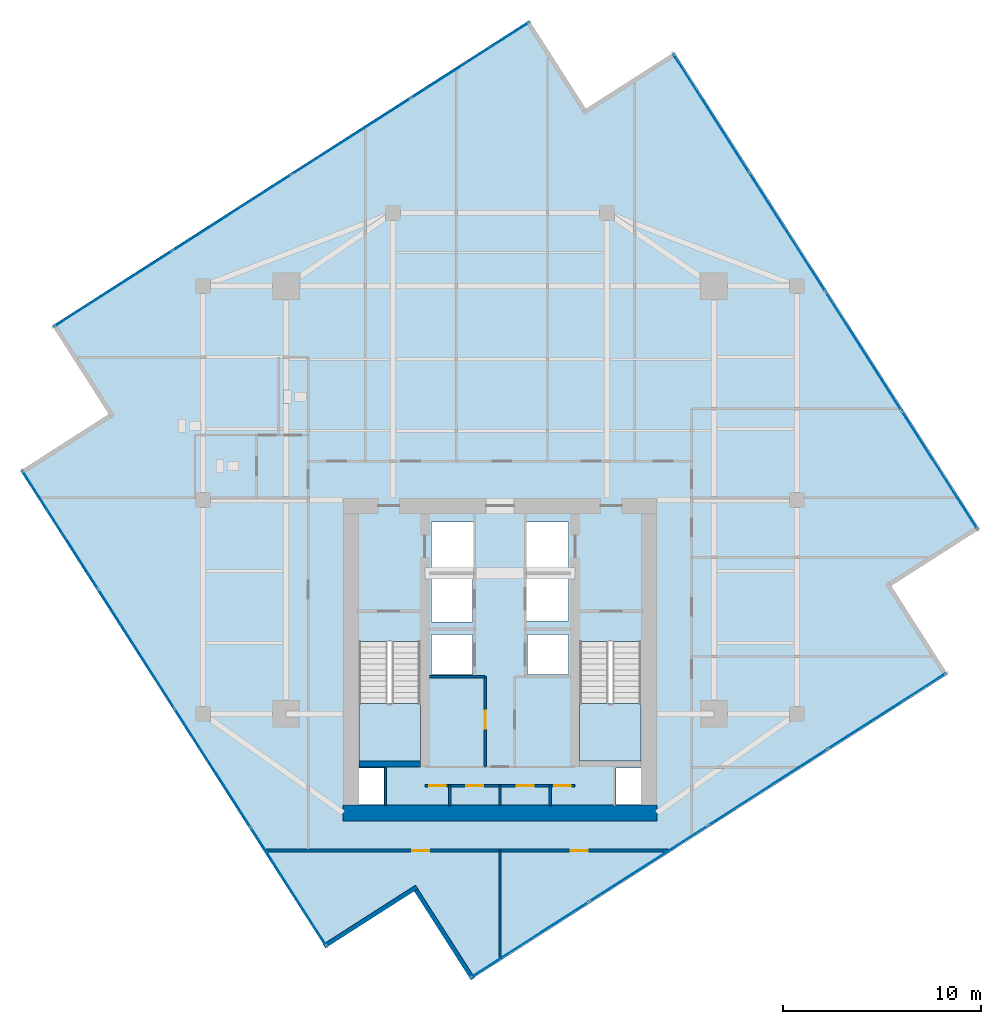
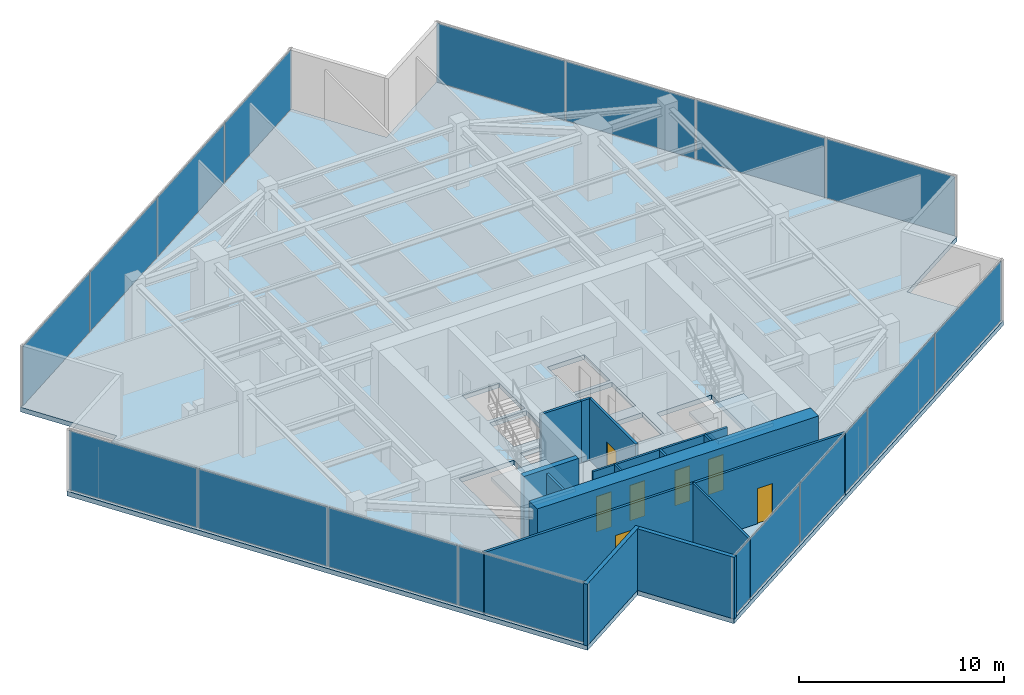
# One storey, part 16 of 20: 16 plates, 14 walls, 7 doors, 3 slabs, 7 openings, 6 elements without a shape of their own.
"""IFC4 building model written with IfcOpenShell, lengths in metres."""

from ifc_helpers import new_model, si_unit, direction, frame, frame_2d, origin, origin_2d, place, context, subcontext, project, spatial, polyline, rectangle, outline, extrude, source, transform, mapped, material, layer, layer_set, type_object, type_shapes, element, fill, aggregate, save


model = new_model("IFC4")

# Units and contexts
model_context = context("Model", 3, precision=1e-05, world=origin(), true_north=direction((0.0, 1.0)))
body_context = subcontext(model_context, "Body", "Model", "MODEL_VIEW")
ifc_project = project(units=[si_unit("LENGTHUNIT", "METRE"), si_unit("AREAUNIT", "SQUARE_METRE"), si_unit("VOLUMEUNIT", "CUBIC_METRE"), si_unit("PLANEANGLEUNIT", "RADIAN"), si_unit("MASSUNIT", "GRAM", prefix="KILO")], contexts=[model_context])

# Site, building, storey
site_placement = place(None, origin())
site = spatial("IfcSite", under=ifc_project, at=site_placement, CompositionType="ELEMENT")
building_placement = place(site_placement, origin())
building = spatial("IfcBuilding", under=site, at=building_placement, Name="Krantzveldt Concourse Tower", CompositionType="ELEMENT")
storey_placement = place(building_placement, frame((0.0, 0.0, 287.14990234375)))
storey = spatial("IfcBuildingStorey", under=building, at=storey_placement, Name="L70", CompositionType="ELEMENT", Elevation=287.14990234375)

# Stair, slab
ifc_material_1 = material(Name="Precast concrete C40/50", Category="concrete")
stair_type = type_object("IfcStairType", Name="STR-CORE-DOGLEG", PredefinedType="HALF_TURN_STAIR", material=ifc_material_1)
stair_1_placement = place(storey_placement, origin())
stair_1 = element("IfcStair", 1, at=stair_1_placement, inside=storey, type_object=stair_type, Name="L70 Protected Escape Stair ST-1", PredefinedType="HALF_TURN_STAIR")
ifc_layer_1 = layer(ifc_material_1, 0.199951171875, Name="Precast concrete C40/50", Category="concrete")
ifc_layer_set_1 = layer_set([ifc_layer_1], Name="Precast concrete C40/50 (SL-LANDING-200)")
slab_type_1 = type_object("IfcSlabType", Name="SL-LANDING-200", PredefinedType="LANDING", material=ifc_layer_set_1)
slab_1_placement = place(storey_placement, frame((0.0, 0.0, 1.775146484375)))
slab_1 = element("IfcSlab", 2, at=slab_1_placement, type_object=slab_type_1, Name="ST-1 landing 1", PredefinedType="LANDING", context=body_context, shape_type="SweptSolid", body=[
    extrude(outline(polyline([(28.8798828125, 16.4150390625), (28.8798828125, 13.52001953125), (31.97998046875, 13.52001953125), (31.97998046875, 16.4150390625), (28.8798828125, 16.4150390625)])), origin(), (0.0, 0.0, 1.0), 0.199951171875),
])
aggregate(stair_1, [slab_1])

stair_2_placement = place(storey_placement, origin())
stair_2 = element("IfcStair", 3, at=stair_2_placement, inside=storey, type_object=stair_type, Name="L70 Protected Escape Stair ST-2", PredefinedType="HALF_TURN_STAIR")
slab_2_placement = place(storey_placement, frame((0.0, 0.0, 1.775146484375)))
slab_2 = element("IfcSlab", 4, at=slab_2_placement, type_object=slab_type_1, Name="ST-2 landing 1", PredefinedType="LANDING", context=body_context, shape_type="SweptSolid", body=[
    extrude(outline(polyline([(40.02001953125, 16.4150390625), (40.02001953125, 13.52001953125), (43.1201171875, 13.52001953125), (43.1201171875, 16.4150390625), (40.02001953125, 16.4150390625)])), origin(), (0.0, 0.0, 1.0), 0.199951171875),
])
aggregate(stair_2, [slab_2])

# Slab
ifc_material_2 = material(Name="Concrete C40/50", Category="concrete")
ifc_layer_2 = layer(ifc_material_2, 0.280029296875, Name="Concrete C40/50", Category="concrete")
ifc_layer_set_2 = layer_set([ifc_layer_2], Name="Concrete C40/50 (SL-SL-TWR280)")
slab_type_2 = type_object("IfcSlabType", Name="SL-SL-TWR280", PredefinedType="FLOOR", material=ifc_layer_set_2)
slab_3_placement = place(storey_placement, frame((0.0, 0.0, -0.27978515625)))
element("IfcSlab", 5, at=slab_3_placement, inside=storey, type_object=slab_type_2, Name="SL-L70-MAIN", PredefinedType="FLOOR", context=body_context, shape_type="SweptSolid", body=[
    extrude(outline(polyline([(40.333984375, 46.453369140625), (37.4765625, 50.917236328125), (13.38916015625, 35.497802734375), (16.24658203125, 31.033935546875), (11.782958984375, 28.176513671875), (27.2021484375, 4.089111328125), (31.666015625, 6.946533203125), (34.5234375, 2.48291015625), (58.61083984375, 17.902099609375), (55.75341796875, 22.365966796875), (60.217041015625, 25.223388671875), (44.7978515625, 49.310791015625), (40.333984375, 46.453369140625)]), holes=[polyline([(28.8798828125, 19.547607421875), (28.8798828125, 13.52001953125), (31.97998046875, 13.52001953125), (31.97998046875, 19.547607421875), (28.8798828125, 19.547607421875)]), polyline([(40.02001953125, 19.547607421875), (40.02001953125, 13.52001953125), (43.1201171875, 13.52001953125), (43.1201171875, 19.547607421875), (40.02001953125, 19.547607421875)]), polyline([(32.550048828125, 23.10009765625), (34.64990234375, 23.10009765625), (34.64990234375, 25.60009765625), (32.550048828125, 25.60009765625), (32.550048828125, 23.10009765625)]), polyline([(37.35009765625, 23.10009765625), (39.449951171875, 23.10009765625), (39.449951171875, 25.60009765625), (37.35009765625, 25.60009765625), (37.35009765625, 23.10009765625)]), polyline([(37.35009765625, 20.60009765625), (39.449951171875, 20.60009765625), (39.449951171875, 22.89990234375), (37.35009765625, 22.89990234375), (37.35009765625, 20.60009765625)]), polyline([(32.550048828125, 20.550048828125), (34.6201171875, 20.550048828125), (34.6201171875, 22.89990234375), (32.550048828125, 22.89990234375), (32.550048828125, 20.550048828125)]), polyline([(32.550048828125, 17.8798828125), (34.6201171875, 17.8798828125), (34.6201171875, 19.919921875), (32.550048828125, 19.919921875), (32.550048828125, 17.8798828125)]), polyline([(37.3798828125, 17.8798828125), (39.449951171875, 17.8798828125), (39.449951171875, 19.919921875), (37.3798828125, 19.919921875), (37.3798828125, 17.8798828125)]), polyline([(28.8798828125, 11.320068359375), (30.139892578125, 11.320068359375), (30.139892578125, 13.159912109375), (28.8798828125, 13.159912109375), (28.8798828125, 11.320068359375)]), polyline([(41.860107421875, 11.320068359375), (43.1201171875, 11.320068359375), (43.1201171875, 13.159912109375), (41.860107421875, 13.159912109375), (41.860107421875, 11.320068359375)])]), origin(), (0.0, 0.0, 1.0), 0.27978515625),
])

# Curtain wall, plates
ifc_material_3 = material(Name="Anodised aluminium 6063-T6", Category="aluminium")
curtain_wall_type = type_object("IfcCurtainWallType", Name="CW4", PredefinedType="USERDEFINED", material=ifc_material_3)
curtain_wall_1_placement = place(storey_placement, origin())
curtain_wall_1 = element("IfcCurtainWall", 6, at=curtain_wall_1_placement, inside=storey, type_object=curtain_wall_type, Name="CW-L70-F01", ObjectType="UNITISED CURTAIN WALL", PredefinedType="USERDEFINED")
ifc_material_4 = material(Name="Bronze-tinted laminated low-E IGU glass", Category="glass")
ifc_layer_3 = layer(ifc_material_4, 0.031982421875, Name="Bronze-tinted laminated low-E IGU glass", Category="glass")
ifc_layer_set_3 = layer_set([ifc_layer_3], Name="Bronze-tinted laminated low-E IGU glass (CW-GLZ-32)")
plate_type = type_object("IfcPlateType", Name="CW-GLZ-32", PredefinedType="CURTAIN_PANEL", material=ifc_layer_set_3)
shared_shape_1 = source(origin(), body_context, "Body", "SweptSolid", [
    extrude(rectangle(XDim=7.044921875, YDim=0.031982421875, at=origin_2d()), origin(), (0.0, 0.0, 1.0), 3.530029296875),
])
plate_1_placement = place(storey_placement, frame((34.49951171875, 48.904541015625, 0.0703125), z_axis=(0.0, 0.0, 1.0), x_axis=(-0.842217243088, -0.53913830827, 0.0)))
plate_1 = element("IfcPlate", 7, at=plate_1_placement, type_object=plate_type, Name="CW-Z56 panel 1.1", PredefinedType="CURTAIN_PANEL", context=body_context, shape_type="MappedRepresentation", body=[
    mapped(shared_shape_1, transform((0.0, 0.0, 0.0), x_axis=(1.0, 0.0, 0.0), y_axis=(0.0, 1.0, 0.0), z_axis=(0.0, 0.0, 1.0), scale=1.0)),
])
plate_2_placement = place(storey_placement, frame((16.46337890625, 37.35888671875, 0.0703125), z_axis=(0.0, 0.0, 1.0), x_axis=(-0.842217243088, -0.53913830827, 0.0)))
plate_2 = element("IfcPlate", 8, at=plate_2_placement, type_object=plate_type, Name="CW-Z56 panel 4.1", PredefinedType="CURTAIN_PANEL", context=body_context, shape_type="MappedRepresentation", body=[
    mapped(shared_shape_1, transform((0.0, 0.0, 0.0), x_axis=(1.0, 0.0, 0.0), y_axis=(0.0, 1.0, 0.0), z_axis=(0.0, 0.0, 1.0), scale=1.0)),
])

curtain_wall_2_placement = place(storey_placement, origin())
curtain_wall_2 = element("IfcCurtainWall", 9, at=curtain_wall_2_placement, inside=storey, type_object=curtain_wall_type, Name="CW-L70-F04", ObjectType="UNITISED CURTAIN WALL", PredefinedType="USERDEFINED")
plate_3_placement = place(storey_placement, frame((13.79541015625, 25.199462890625, 0.0703125), z_axis=(0.0, 0.0, 1.0), x_axis=(0.53913830827, -0.842217243088, 0.0)))
plate_3 = element("IfcPlate", 10, at=plate_3_placement, type_object=plate_type, Name="CW-Z56 panel 1.1", PredefinedType="CURTAIN_PANEL", context=body_context, shape_type="MappedRepresentation", body=[
    mapped(shared_shape_1, transform((0.0, 0.0, 0.0), x_axis=(1.0, 0.0, 0.0), y_axis=(0.0, 1.0, 0.0), z_axis=(0.0, 0.0, 1.0), scale=1.0)),
])
plate_4_placement = place(storey_placement, frame((25.341064453125, 7.163330078125, 0.0703125), z_axis=(0.0, 0.0, 1.0), x_axis=(0.53913830827, -0.842217243088, 0.0)))
plate_4 = element("IfcPlate", 11, at=plate_4_placement, type_object=plate_type, Name="CW-Z56 panel 4.1", PredefinedType="CURTAIN_PANEL", context=body_context, shape_type="MappedRepresentation", body=[
    mapped(shared_shape_1, transform((0.0, 0.0, 0.0), x_axis=(1.0, 0.0, 0.0), y_axis=(0.0, 1.0, 0.0), z_axis=(0.0, 0.0, 1.0), scale=1.0)),
])

curtain_wall_3_placement = place(storey_placement, origin())
curtain_wall_3 = element("IfcCurtainWall", 12, at=curtain_wall_3_placement, inside=storey, type_object=curtain_wall_type, Name="CW-L70-F07", ObjectType="UNITISED CURTAIN WALL", PredefinedType="USERDEFINED")
plate_5_placement = place(storey_placement, frame((37.50048828125, 4.49560546875, 0.0703125), z_axis=(0.0, 0.0, 1.0), x_axis=(0.842217243088, 0.53913830827, 0.0)))
plate_5 = element("IfcPlate", 13, at=plate_5_placement, type_object=plate_type, Name="CW-Z56 panel 1.1", PredefinedType="CURTAIN_PANEL", context=body_context, shape_type="MappedRepresentation", body=[
    mapped(shared_shape_1, transform((0.0, 0.0, 0.0), x_axis=(1.0, 0.0, 0.0), y_axis=(0.0, 1.0, 0.0), z_axis=(0.0, 0.0, 1.0), scale=1.0)),
])
plate_6_placement = place(storey_placement, frame((55.53662109375, 16.041259765625, 0.0703125), z_axis=(0.0, 0.0, 1.0), x_axis=(0.842217243088, 0.53913830827, 0.0)))
plate_6 = element("IfcPlate", 14, at=plate_6_placement, type_object=plate_type, Name="CW-Z56 panel 4.1", PredefinedType="CURTAIN_PANEL", context=body_context, shape_type="MappedRepresentation", body=[
    mapped(shared_shape_1, transform((0.0, 0.0, 0.0), x_axis=(1.0, 0.0, 0.0), y_axis=(0.0, 1.0, 0.0), z_axis=(0.0, 0.0, 1.0), scale=1.0)),
])

curtain_wall_4_placement = place(storey_placement, origin())
curtain_wall_4 = element("IfcCurtainWall", 15, at=curtain_wall_4_placement, inside=storey, type_object=curtain_wall_type, Name="CW-L70-F10", ObjectType="UNITISED CURTAIN WALL", PredefinedType="USERDEFINED")
plate_7_placement = place(storey_placement, frame((58.20458984375, 28.200439453125, 0.0703125), z_axis=(0.0, 0.0, 1.0), x_axis=(-0.53913830827, 0.842217243088, 0.0)))
plate_7 = element("IfcPlate", 16, at=plate_7_placement, type_object=plate_type, Name="CW-Z56 panel 1.1", PredefinedType="CURTAIN_PANEL", context=body_context, shape_type="MappedRepresentation", body=[
    mapped(shared_shape_1, transform((0.0, 0.0, 0.0), x_axis=(1.0, 0.0, 0.0), y_axis=(0.0, 1.0, 0.0), z_axis=(0.0, 0.0, 1.0), scale=1.0)),
])
plate_8_placement = place(storey_placement, frame((46.658935546875, 46.236572265625, 0.0703125), z_axis=(0.0, 0.0, 1.0), x_axis=(-0.53913830827, 0.842217243088, 0.0)))
plate_8 = element("IfcPlate", 17, at=plate_8_placement, type_object=plate_type, Name="CW-Z56 panel 4.1", PredefinedType="CURTAIN_PANEL", context=body_context, shape_type="MappedRepresentation", body=[
    mapped(shared_shape_1, transform((0.0, 0.0, 0.0), x_axis=(1.0, 0.0, 0.0), y_axis=(0.0, 1.0, 0.0), z_axis=(0.0, 0.0, 1.0), scale=1.0)),
])

# Plate
shared_shape_2 = source(origin(), body_context, "Body", "SweptSolid", [
    extrude(rectangle(XDim=7.080078125, YDim=0.031982421875, at=origin_2d()), origin(), (0.0, 0.0, 1.0), 3.530029296875),
])
type_shapes(plate_type, [shared_shape_1, shared_shape_2])
plate_9_placement = place(storey_placement, frame((28.492431640625, 45.05908203125, 0.0703125), z_axis=(0.0, 0.0, 1.0), x_axis=(-0.842217243088, -0.53913830827, 0.0)))
plate_9 = element("IfcPlate", 18, at=plate_9_placement, type_object=plate_type, Name="CW-Z56 panel 2.1", PredefinedType="CURTAIN_PANEL", context=body_context, shape_type="MappedRepresentation", body=[
    mapped(shared_shape_2, transform((0.0, 0.0, 0.0), x_axis=(1.0, 0.0, 0.0), y_axis=(0.0, 1.0, 0.0), z_axis=(0.0, 0.0, 1.0), scale=1.0)),
])

plate_10_placement = place(storey_placement, frame((22.470458984375, 41.204345703125, 0.0703125), z_axis=(0.0, 0.0, 1.0), x_axis=(-0.842217243088, -0.53913830827, 0.0)))
plate_10 = element("IfcPlate", 19, at=plate_10_placement, type_object=plate_type, Name="CW-Z56 panel 3.1", PredefinedType="CURTAIN_PANEL", context=body_context, shape_type="MappedRepresentation", body=[
    mapped(shared_shape_2, transform((0.0, 0.0, 0.0), x_axis=(1.0, 0.0, 0.0), y_axis=(0.0, 1.0, 0.0), z_axis=(0.0, 0.0, 1.0), scale=1.0)),
])

aggregate(curtain_wall_1, [plate_1, plate_9, plate_10, plate_2])

plate_11_placement = place(storey_placement, frame((17.640869140625, 19.1923828125, 0.0703125), z_axis=(0.0, 0.0, 1.0), x_axis=(0.53913830827, -0.842217243088, 0.0)))
plate_11 = element("IfcPlate", 20, at=plate_11_placement, type_object=plate_type, Name="CW-Z56 panel 2.1", PredefinedType="CURTAIN_PANEL", context=body_context, shape_type="MappedRepresentation", body=[
    mapped(shared_shape_2, transform((0.0, 0.0, 0.0), x_axis=(1.0, 0.0, 0.0), y_axis=(0.0, 1.0, 0.0), z_axis=(0.0, 0.0, 1.0), scale=1.0)),
])

plate_12_placement = place(storey_placement, frame((21.495849609375, 13.17041015625, 0.0703125), z_axis=(0.0, 0.0, 1.0), x_axis=(0.53913830827, -0.842217243088, 0.0)))
plate_12 = element("IfcPlate", 21, at=plate_12_placement, type_object=plate_type, Name="CW-Z56 panel 3.1", PredefinedType="CURTAIN_PANEL", context=body_context, shape_type="MappedRepresentation", body=[
    mapped(shared_shape_2, transform((0.0, 0.0, 0.0), x_axis=(1.0, 0.0, 0.0), y_axis=(0.0, 1.0, 0.0), z_axis=(0.0, 0.0, 1.0), scale=1.0)),
])

aggregate(curtain_wall_2, [plate_3, plate_11, plate_12, plate_4])

plate_13_placement = place(storey_placement, frame((43.507568359375, 8.3408203125, 0.0703125), z_axis=(0.0, 0.0, 1.0), x_axis=(0.842217243088, 0.53913830827, 0.0)))
plate_13 = element("IfcPlate", 22, at=plate_13_placement, type_object=plate_type, Name="CW-Z56 panel 2.1", PredefinedType="CURTAIN_PANEL", context=body_context, shape_type="MappedRepresentation", body=[
    mapped(shared_shape_2, transform((0.0, 0.0, 0.0), x_axis=(1.0, 0.0, 0.0), y_axis=(0.0, 1.0, 0.0), z_axis=(0.0, 0.0, 1.0), scale=1.0)),
])

plate_14_placement = place(storey_placement, frame((49.529541015625, 12.19580078125, 0.0703125), z_axis=(0.0, 0.0, 1.0), x_axis=(0.842217243088, 0.53913830827, 0.0)))
plate_14 = element("IfcPlate", 23, at=plate_14_placement, type_object=plate_type, Name="CW-Z56 panel 3.1", PredefinedType="CURTAIN_PANEL", context=body_context, shape_type="MappedRepresentation", body=[
    mapped(shared_shape_2, transform((0.0, 0.0, 0.0), x_axis=(1.0, 0.0, 0.0), y_axis=(0.0, 1.0, 0.0), z_axis=(0.0, 0.0, 1.0), scale=1.0)),
])

aggregate(curtain_wall_3, [plate_5, plate_13, plate_14, plate_6])

plate_15_placement = place(storey_placement, frame((54.359130859375, 34.207763671875, 0.0703125), z_axis=(0.0, 0.0, 1.0), x_axis=(-0.53913830827, 0.842217243088, 0.0)))
plate_15 = element("IfcPlate", 24, at=plate_15_placement, type_object=plate_type, Name="CW-Z56 panel 2.1", PredefinedType="CURTAIN_PANEL", context=body_context, shape_type="MappedRepresentation", body=[
    mapped(shared_shape_2, transform((0.0, 0.0, 0.0), x_axis=(1.0, 0.0, 0.0), y_axis=(0.0, 1.0, 0.0), z_axis=(0.0, 0.0, 1.0), scale=1.0)),
])

plate_16_placement = place(storey_placement, frame((50.504150390625, 40.2294921875, 0.0703125), z_axis=(0.0, 0.0, 1.0), x_axis=(-0.53913830827, 0.842217243088, 0.0)))
plate_16 = element("IfcPlate", 25, at=plate_16_placement, type_object=plate_type, Name="CW-Z56 panel 3.1", PredefinedType="CURTAIN_PANEL", context=body_context, shape_type="MappedRepresentation", body=[
    mapped(shared_shape_2, transform((0.0, 0.0, 0.0), x_axis=(1.0, 0.0, 0.0), y_axis=(0.0, 1.0, 0.0), z_axis=(0.0, 0.0, 1.0), scale=1.0)),
])

aggregate(curtain_wall_4, [plate_7, plate_15, plate_16, plate_8])

# Walls
ifc_layer_4 = layer(ifc_material_3, 0.219970703125, Name="Anodised aluminium 6063-T6", Category="aluminium")
ifc_layer_set_4 = layer_set([ifc_layer_4], Name="Anodised aluminium 6063-T6 (WL-EXT-NOTCH220)")
wall_type_1 = type_object("IfcWallType", Name="WL-EXT-NOTCH220", PredefinedType="ELEMENTEDWALL", material=ifc_layer_set_4)
wall_1_placement = place(storey_placement, frame((27.121826171875, 4.16845703125, 0.0), z_axis=(0.0, 0.0, 1.0), x_axis=(0.842222620948, 0.539129907131, 0.0)))
element("IfcWall", 26, at=wall_1_placement, inside=storey, type_object=wall_type_1, Name="EW-L70-NCH05", PredefinedType="ELEMENTEDWALL", context=body_context, shape_type="SweptSolid", body=[
    extrude(rectangle(XDim=5.545166015625, YDim=0.219970703125, at=frame_2d((2.7724609375, 0.0))), origin(), (0.0, 0.0, 1.0), 3.670166015625),
])
wall_2_placement = place(storey_placement, frame((31.758544921875, 7.005859375, 0.0), z_axis=(0.0, 0.0, 1.0), x_axis=(0.539157771194, -0.842204783744, 0.0)))
element("IfcWall", 27, at=wall_2_placement, inside=storey, type_object=wall_type_1, Name="EW-L70-NCH06", PredefinedType="ELEMENTEDWALL", context=body_context, shape_type="SweptSolid", body=[
    extrude(rectangle(XDim=5.3251953125, YDim=0.219970703125, at=frame_2d((2.66259765625, 0.0))), origin(), (0.0, 0.0, 1.0), 3.670166015625),
])

# Wall, openings, doors
ifc_material_5 = material(Name="Fire-rated gypsum plasterboard on steel stud", Category="steel")
ifc_layer_5 = layer(ifc_material_5, 0.1201171875, Name="Fire-rated gypsum plasterboard on steel stud", Category="steel")
ifc_layer_set_5 = layer_set([ifc_layer_5], Name="Fire-rated gypsum plasterboard on steel stud (WL-PART-120)")
wall_type_2 = type_object("IfcWallType", Name="WL-PART-120", PredefinedType="PARTITIONING", material=ifc_layer_set_5)
wall_3_placement = place(storey_placement, frame((32.2099609375, 12.280029296875, 0.0), z_axis=(0.0, 0.0, 1.0), x_axis=(1.0, 0.0, 0.0)))
wall_3 = element("IfcWall", 28, at=wall_3_placement, inside=storey, type_object=wall_type_2, Name="WP-L70-CSD-HM", PredefinedType="PARTITIONING", context=body_context, shape_type="SweptSolid", body=[
    extrude(rectangle(XDim=7.580078125, YDim=0.1201171875, at=frame_2d((3.7900390625, 0.0))), origin(), (0.0, 0.0, 1.0), 3.670166015625),
])
opening_1_placement = place(wall_3_placement, frame((0.205078125, 0.0, 0.0)))
opening_1 = element("IfcOpeningElement", 29, at=opening_1_placement, cuts=wall_3, Name="Opening D-IN085", PredefinedType="OPENING", context=body_context, shape_type="SweptSolid", body=[
    extrude(rectangle(XDim=0.85009765625, YDim=2.10009765625, at=frame_2d((0.425048828125, 1.050048828125))), frame((0.0, 0.070068359375, 0.0), z_axis=(0.0, -1.0, 0.0), x_axis=(1.0, 0.0, 0.0)), (0.0, 0.0, 1.0), 0.14013671875),
])
opening_2_placement = place(wall_3_placement, frame((2.094970703125, 0.0, 0.0)))
opening_2 = element("IfcOpeningElement", 30, at=opening_2_placement, cuts=wall_3, Name="Opening D-IN085", PredefinedType="OPENING", context=body_context, shape_type="SweptSolid", body=[
    extrude(rectangle(XDim=0.85009765625, YDim=2.10009765625, at=frame_2d((0.425048828125, 1.050048828125))), frame((0.0, 0.070068359375, 0.0), z_axis=(0.0, -1.0, 0.0), x_axis=(1.0, 0.0, 0.0)), (0.0, 0.0, 1.0), 0.14013671875),
])
opening_3_placement = place(wall_3_placement, frame((4.635009765625, 0.0, 0.0)))
opening_3 = element("IfcOpeningElement", 31, at=opening_3_placement, cuts=wall_3, Name="Opening D-IN085", PredefinedType="OPENING", context=body_context, shape_type="SweptSolid", body=[
    extrude(rectangle(XDim=0.85009765625, YDim=2.10009765625, at=frame_2d((0.425048828125, 1.050048828125))), frame((0.0, 0.070068359375, 0.0), z_axis=(0.0, -1.0, 0.0), x_axis=(1.0, 0.0, 0.0)), (0.0, 0.0, 1.0), 0.14013671875),
])
opening_4_placement = place(wall_3_placement, frame((6.52490234375, 0.0, 0.0)))
opening_4 = element("IfcOpeningElement", 32, at=opening_4_placement, cuts=wall_3, Name="Opening D-IN085", PredefinedType="OPENING", context=body_context, shape_type="SweptSolid", body=[
    extrude(rectangle(XDim=0.85009765625, YDim=2.10009765625, at=frame_2d((0.425048828125, 1.050048828125))), frame((0.0, 0.070068359375, 0.0), z_axis=(0.0, -1.0, 0.0), x_axis=(1.0, 0.0, 0.0)), (0.0, 0.0, 1.0), 0.14013671875),
])
ifc_material_6 = material(Name="Hardwood timber", Category="wood")
door_type_1 = type_object("IfcDoorType", Name="DR-INT-850", OperationType="SINGLE_SWING_LEFT", PredefinedType="DOOR", material=ifc_material_6)
door_1_placement = place(opening_1_placement, origin())
door_1 = element("IfcDoor", 33, at=door_1_placement, inside=storey, type_object=door_type_1, Name="DR-L70-CSD1", OperationType="SINGLE_SWING_RIGHT", OverallHeight=2.10009765625, OverallWidth=0.85009765625, PredefinedType="DOOR", context=body_context, shape_type="SweptSolid", body=[
    extrude(rectangle(XDim=0.85009765625, YDim=2.10009765625, at=frame_2d((0.425048828125, 1.050048828125))), frame((0.0, 0.02490234375, 0.0), z_axis=(0.0, -1.0, 0.0), x_axis=(1.0, 0.0, 0.0)), (0.0, 0.0, 1.0), 0.050048828125),
])
fill(opening_1, door_1)
door_2_placement = place(opening_2_placement, origin())
door_2 = element("IfcDoor", 34, at=door_2_placement, inside=storey, type_object=door_type_1, Name="DR-L70-CSD2", OperationType="SINGLE_SWING_RIGHT", OverallHeight=2.10009765625, OverallWidth=0.85009765625, PredefinedType="DOOR", context=body_context, shape_type="SweptSolid", body=[
    extrude(rectangle(XDim=0.85009765625, YDim=2.10009765625, at=frame_2d((0.425048828125, 1.050048828125))), frame((0.0, 0.02490234375, 0.0), z_axis=(0.0, -1.0, 0.0), x_axis=(1.0, 0.0, 0.0)), (0.0, 0.0, 1.0), 0.050048828125),
])
fill(opening_2, door_2)
door_3_placement = place(opening_3_placement, origin())
door_3 = element("IfcDoor", 35, at=door_3_placement, inside=storey, type_object=door_type_1, Name="DR-L70-CSD3", OperationType="SINGLE_SWING_RIGHT", OverallHeight=2.10009765625, OverallWidth=0.85009765625, PredefinedType="DOOR", context=body_context, shape_type="SweptSolid", body=[
    extrude(rectangle(XDim=0.85009765625, YDim=2.10009765625, at=frame_2d((0.425048828125, 1.050048828125))), frame((0.0, 0.02490234375, 0.0), z_axis=(0.0, -1.0, 0.0), x_axis=(1.0, 0.0, 0.0)), (0.0, 0.0, 1.0), 0.050048828125),
])
fill(opening_3, door_3)
door_4_placement = place(opening_4_placement, origin())
door_4 = element("IfcDoor", 36, at=door_4_placement, inside=storey, type_object=door_type_1, Name="DR-L70-CSD4", OperationType="SINGLE_SWING_RIGHT", OverallHeight=2.10009765625, OverallWidth=0.85009765625, PredefinedType="DOOR", context=body_context, shape_type="SweptSolid", body=[
    extrude(rectangle(XDim=0.85009765625, YDim=2.10009765625, at=frame_2d((0.425048828125, 1.050048828125))), frame((0.0, 0.02490234375, 0.0), z_axis=(0.0, -1.0, 0.0), x_axis=(1.0, 0.0, 0.0)), (0.0, 0.0, 1.0), 0.050048828125),
])
fill(opening_4, door_4)

# Walls
for number, where, z_axis, x_axis, name in (
    (37, (33.469970703125, 11.25, 0.0), (0.0, 0.0, 1.0), (0.0, 1.0, 0.0), "WP-L70-CSD-V1"),
    (38, (36.0, 11.25, 0.0), (0.0, 0.0, 1.0), (0.0, 1.0, 0.0), "WP-L70-CSD-V2"),
    (39, (38.530029296875, 11.25, 0.0), (0.0, 0.0, 1.0), (0.0, 1.0, 0.0), "WP-L70-CSD-V3"),
):
    element("IfcWall", number, at=place(storey_placement, frame(where, z_axis=z_axis, x_axis=x_axis)), inside=storey, type_object=wall_type_2, Name=name, PredefinedType="PARTITIONING", context=body_context, shape_type="SweptSolid", body=[
        extrude(rectangle(XDim=1.030029296875, YDim=0.1201171875, at=frame_2d((0.51513671875, 0.0))), origin(), (0.0, 0.0, 1.0), 3.670166015625),
    ])
wall_4_placement = place(storey_placement, frame((36.0, 3.534912109375, 0.0), z_axis=(0.0, 0.0, 1.0), x_axis=(0.0, 1.0, 0.0)))
element("IfcWall", 40, at=wall_4_placement, inside=storey, type_object=wall_type_2, Name="WP-L70-SSMD", PredefinedType="PARTITIONING", context=body_context, shape_type="SweptSolid", body=[
    extrude(rectangle(XDim=5.465087890625, YDim=0.1201171875, at=frame_2d((2.732421875, 0.0))), origin(), (0.0, 0.0, 1.0), 3.670166015625),
])

# Wall, openings, doors
ifc_layer_6 = layer(ifc_material_5, 0.139892578125, Name="Fire-rated gypsum plasterboard on steel stud", Category="steel")
ifc_layer_set_6 = layer_set([ifc_layer_6], Name="Fire-rated gypsum plasterboard on steel stud (WL-PART-140)")
wall_type_3 = type_object("IfcWallType", Name="WL-PART-140", PredefinedType="PARTITIONING", material=ifc_layer_set_6)
wall_5_placement = place(storey_placement, frame((24.16552734375, 9.0, 0.0), z_axis=(0.0, 0.0, 1.0), x_axis=(1.0, 0.0, 0.0)))
wall_5 = element("IfcWall", 41, at=wall_5_placement, inside=storey, type_object=wall_type_3, Name="WP-L70-CSBOT", PredefinedType="PARTITIONING", context=body_context, shape_type="SweptSolid", body=[
    extrude(rectangle(XDim=20.37158203125, YDim=0.139892578125, at=frame_2d((10.185791015625, 0.0))), origin(), (0.0, 0.0, 1.0), 3.670166015625),
])
opening_5_placement = place(wall_5_placement, frame((7.409423828125, 0.0, 0.0)))
opening_5 = element("IfcOpeningElement", 42, at=opening_5_placement, cuts=wall_5, Name="Opening D-IN085", PredefinedType="OPENING", context=body_context, shape_type="SweptSolid", body=[
    extrude(rectangle(XDim=0.85009765625, YDim=2.10009765625, at=frame_2d((0.425048828125, 1.050048828125))), frame((0.0, 0.080078125, 0.0), z_axis=(0.0, -1.0, 0.0), x_axis=(1.0, 0.0, 0.0)), (0.0, 0.0, 1.0), 0.159912109375),
])
opening_6_placement = place(wall_5_placement, frame((15.409423828125, 0.0, 0.0)))
opening_6 = element("IfcOpeningElement", 43, at=opening_6_placement, cuts=wall_5, Name="Opening D-IN085", PredefinedType="OPENING", context=body_context, shape_type="SweptSolid", body=[
    extrude(rectangle(XDim=0.85009765625, YDim=2.10009765625, at=frame_2d((0.425048828125, 1.050048828125))), frame((0.0, 0.080078125, 0.0), z_axis=(0.0, -1.0, 0.0), x_axis=(1.0, 0.0, 0.0)), (0.0, 0.0, 1.0), 0.159912109375),
])
door_5_placement = place(opening_5_placement, origin())
door_5 = element("IfcDoor", 44, at=door_5_placement, inside=storey, type_object=door_type_1, Name="DR-L70-SR1", OperationType="SINGLE_SWING_LEFT", OverallHeight=2.10009765625, OverallWidth=0.85009765625, PredefinedType="DOOR", context=body_context, shape_type="SweptSolid", body=[
    extrude(rectangle(XDim=0.85009765625, YDim=2.10009765625, at=frame_2d((0.425048828125, 1.050048828125))), frame((0.0, 0.02490234375, 0.0), z_axis=(0.0, -1.0, 0.0), x_axis=(1.0, 0.0, 0.0)), (0.0, 0.0, 1.0), 0.050048828125),
])
fill(opening_5, door_5)
door_6_placement = place(opening_6_placement, origin())
door_6 = element("IfcDoor", 45, at=door_6_placement, inside=storey, type_object=door_type_1, Name="DR-L70-SR2", OperationType="SINGLE_SWING_LEFT", OverallHeight=2.10009765625, OverallWidth=0.85009765625, PredefinedType="DOOR", context=body_context, shape_type="SweptSolid", body=[
    extrude(rectangle(XDim=0.85009765625, YDim=2.10009765625, at=frame_2d((0.425048828125, 1.050048828125))), frame((0.0, 0.02490234375, 0.0), z_axis=(0.0, -1.0, 0.0), x_axis=(1.0, 0.0, 0.0)), (0.0, 0.0, 1.0), 0.050048828125),
])
fill(opening_6, door_6)

# Wall
ifc_layer_7 = layer(ifc_material_5, 0.139892578125, Name="Fire-rated gypsum plasterboard on steel stud", Category="steel")
ifc_layer_set_7 = layer_set([ifc_layer_7], Name="Fire-rated gypsum plasterboard on steel stud (WL-PART-FR140)")
wall_type_4 = type_object("IfcWallType", Name="WL-PART-FR140", PredefinedType="PARTITIONING", material=ifc_layer_set_7)
wall_6_placement = place(storey_placement, frame((32.449951171875, 17.780029296875, 0.0), z_axis=(0.0, 0.0, 1.0), x_axis=(1.0, 0.0, 0.0)))
element("IfcWall", 46, at=wall_6_placement, inside=storey, type_object=wall_type_4, Name="WP-L70-DIVW2", PredefinedType="PARTITIONING", context=body_context, shape_type="SweptSolid", body=[
    extrude(rectangle(XDim=2.27001953125, YDim=0.139892578125, at=frame_2d((1.135009765625, 0.0))), origin(), (0.0, 0.0, 1.0), 3.670166015625),
])

# Wall, opening, door
wall_7_placement = place(storey_placement, frame((35.25, 13.219970703125, 0.0), z_axis=(0.0, 0.0, 1.0), x_axis=(0.0, 1.0, 0.0)))
wall_7 = element("IfcWall", 47, at=wall_7_placement, inside=storey, type_object=wall_type_4, Name="WP-L70-RECW", PredefinedType="PARTITIONING", context=body_context, shape_type="SweptSolid", body=[
    extrude(rectangle(XDim=4.56005859375, YDim=0.139892578125, at=frame_2d((2.280029296875, 0.0))), origin(), (0.0, 0.0, 1.0), 3.670166015625),
])
opening_7_placement = place(wall_7_placement, frame((1.929931640625, 0.0, 0.0)))
opening_7 = element("IfcOpeningElement", 48, at=opening_7_placement, cuts=wall_7, Name="Opening D-FD090", PredefinedType="OPENING", context=body_context, shape_type="SweptSolid", body=[
    extrude(rectangle(XDim=0.89990234375, YDim=2.10009765625, at=frame_2d((0.449951171875, 1.050048828125))), frame((0.0, 0.080078125, 0.0), z_axis=(0.0, -1.0, 0.0), x_axis=(1.0, 0.0, 0.0)), (0.0, 0.0, 1.0), 0.159912109375),
])
door_type_2 = type_object("IfcDoorType", Name="DR-FD60-900", OperationType="SINGLE_SWING_LEFT", PredefinedType="DOOR", material=ifc_material_6)
door_7_placement = place(opening_7_placement, origin())
door_7 = element("IfcDoor", 49, at=door_7_placement, inside=storey, type_object=door_type_2, Name="DR-L70-RECW", OperationType="SINGLE_SWING_LEFT", OverallHeight=2.10009765625, OverallWidth=0.89990234375, PredefinedType="DOOR", context=body_context, shape_type="SweptSolid", body=[
    extrude(rectangle(XDim=0.89990234375, YDim=2.10009765625, at=frame_2d((0.449951171875, 1.050048828125))), frame((0.0, 0.02490234375, 0.0), z_axis=(0.0, -1.0, 0.0), x_axis=(1.0, 0.0, 0.0)), (0.0, 0.0, 1.0), 0.050048828125),
])
fill(opening_7, door_7)

# Walls
wall_8_placement = place(storey_placement, frame((34.719970703125, 17.780029296875, 0.0), z_axis=(0.0, 0.0, 1.0), x_axis=(1.0, 0.0, 0.0)))
element("IfcWall", 50, at=wall_8_placement, inside=storey, type_object=wall_type_4, Name="WP-L70-RECWN", PredefinedType="PARTITIONING", context=body_context, shape_type="SweptSolid", body=[
    extrude(rectangle(XDim=0.530029296875, YDim=0.139892578125, at=frame_2d((0.26513671875, 0.0))), origin(), (0.0, 0.0, 1.0), 3.670166015625),
])
wall_9_placement = place(storey_placement, frame((30.219970703125, 11.25, 0.0), z_axis=(0.0, 0.0, 1.0), x_axis=(0.0, 1.0, 0.0)))
element("IfcWall", 51, at=wall_9_placement, inside=storey, type_object=wall_type_4, Name="WP-L70-RSW", PredefinedType="PARTITIONING", context=body_context, shape_type="SweptSolid", body=[
    extrude(rectangle(XDim=1.969970703125, YDim=0.1201171875, at=frame_2d((0.98486328125, 0.0))), origin(), (0.0, 0.0, 1.0), 3.670166015625),
])
ifc_material_7 = material(Name="Concrete C50/60", Category="concrete")
ifc_layer_8 = layer(ifc_material_7, 0.300048828125, Name="Concrete C50/60", Category="concrete")
ifc_layer_set_8 = layer_set([ifc_layer_8], Name="Concrete C50/60 (WL-SHEAR-300)")
wall_type_5 = type_object("IfcWallType", Name="WL-SHEAR-300", PredefinedType="SHEAR", material=ifc_layer_set_8)
wall_10_placement = place(storey_placement, frame((28.8798828125, 13.3701171875, 0.0), z_axis=(0.0, 0.0, 1.0), x_axis=(1.0, 0.0, 0.0)))
element("IfcWall", 52, at=wall_10_placement, inside=storey, type_object=wall_type_5, Name="CW-L70-ST1S", PredefinedType="SHEAR", context=body_context, shape_type="SweptSolid", body=[
    extrude(rectangle(XDim=3.10009765625, YDim=0.300048828125, at=frame_2d((1.550048828125, 0.0))), origin(), (0.0, 0.0, 1.0), 3.9501953125),
])
ifc_material_8 = material(Name="Concrete C60/75", Category="concrete")
ifc_layer_9 = layer(ifc_material_8, 0.800048828125, Name="Concrete C60/75", Category="concrete")
ifc_layer_set_9 = layer_set([ifc_layer_9], Name="Concrete C60/75 (WL-SHEAR-800)")
wall_type_6 = type_object("IfcWallType", Name="WL-SHEAR-800", PredefinedType="SHEAR", material=ifc_layer_set_9)
wall_11_placement = place(storey_placement, frame((28.080078125, 10.89990234375, 0.0), z_axis=(0.0, 0.0, 1.0), x_axis=(1.0, 0.0, 0.0)))
element("IfcWall", 53, at=wall_11_placement, inside=storey, type_object=wall_type_6, Name="CW-L70-S", PredefinedType="SHEAR", context=body_context, shape_type="SweptSolid", body=[
    extrude(rectangle(XDim=15.83984375, YDim=0.800048828125, at=frame_2d((7.919921875, 0.0))), origin(), (0.0, 0.0, 1.0), 3.9501953125),
])

save(model, "model.ifc")
